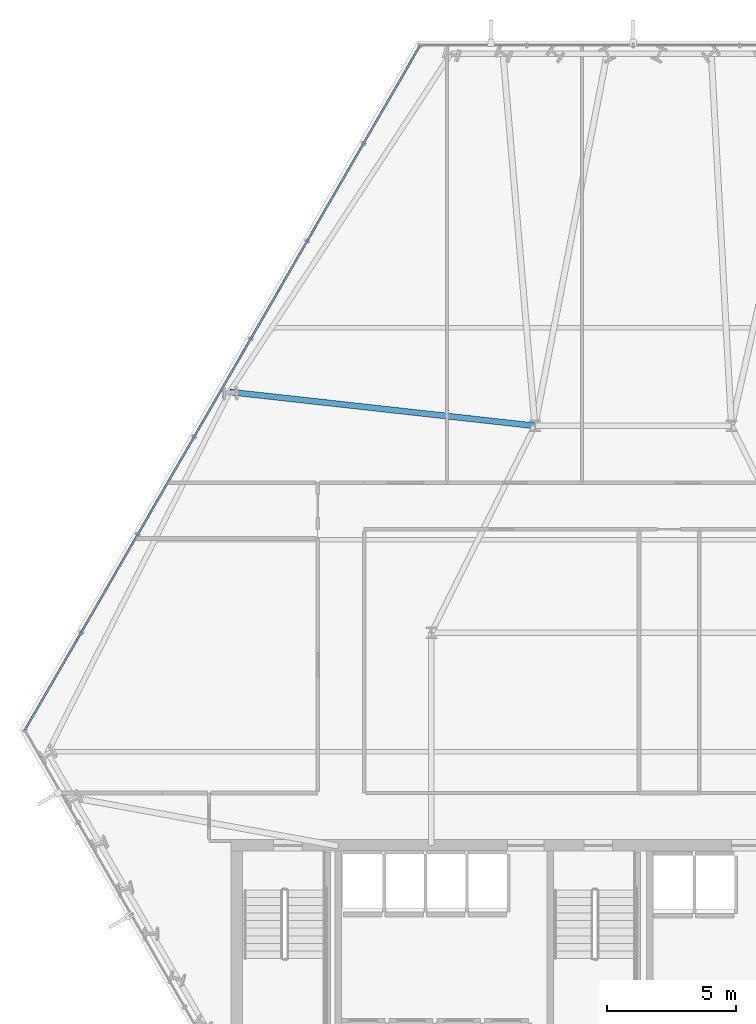
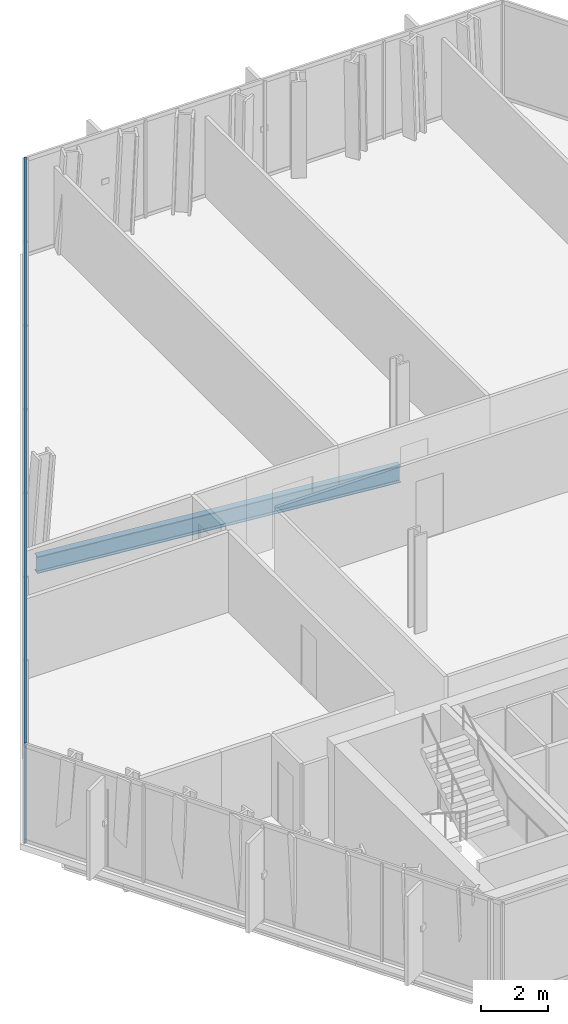
# One storey, part 11 of 33: 2 members, 1 beam, 1 element without a shape of its own.
"""IFC4 building model written with IfcOpenShell, lengths in metres."""

from ifc_helpers import new_model, si_unit, direction, frame, origin, origin_2d, place, context, subcontext, project, spatial, hollow_rectangle, i_section, extrude, material, layer, layer_set, material_profile, profile_set, type_object, element, aggregate, save


model = new_model("IFC4")

# Units and contexts
model_context = context("Model", 3, precision=1e-05, world=origin(), true_north=direction((0.0, 1.0)))
body_context = subcontext(model_context, "Body", "Model", "MODEL_VIEW")
ifc_project = project(units=[si_unit("LENGTHUNIT", "METRE"), si_unit("AREAUNIT", "SQUARE_METRE"), si_unit("VOLUMEUNIT", "CUBIC_METRE"), si_unit("PLANEANGLEUNIT", "RADIAN"), si_unit("MASSUNIT", "GRAM", prefix="KILO")], contexts=[model_context])

# Site, building, storey
site_placement = place(None, origin())
site = spatial("IfcSite", under=ifc_project, at=site_placement, CompositionType="ELEMENT")
building_placement = place(site_placement, origin())
building = spatial("IfcBuilding", under=site, at=building_placement, Name="Ndaravel Arena Tower", CompositionType="ELEMENT")
storey_placement = place(building_placement, frame((0.0, 0.0, 43.60009765625)))
storey = spatial("IfcBuildingStorey", under=building, at=storey_placement, Name="L08", CompositionType="ELEMENT", Elevation=43.60009765625)

# Beam
ifc_material_1 = material(Name="Steel S355", Category="steel")
ifc_material_profile_1 = material_profile(ifc_material_1, i_section(OverallWidth=0.230224609375, OverallDepth=0.6171875, WebThickness=0.01318359375, FlangeThickness=0.022216796875, FilletRadius=0.0126953125, at=origin_2d()), Name="UB 610x229x140")
ifc_profile_set_1 = profile_set([ifc_material_profile_1], Name="Steel S355")
beam_type = type_object("IfcBeamType", Name="BM-GIRD-UB610B", PredefinedType="BEAM", material=ifc_profile_set_1)
beam_placement = place(storey_placement, frame((26.394287109375, 32.510009765625, -0.52880859375), z_axis=(0.993899265506, -0.110291658919, 0.0), x_axis=(0.110291658919, 0.993899265506, 0.0)))
element("IfcBeam", 1, at=beam_placement, inside=storey, type_object=beam_type, Name="L08 Radial Floor Girder FG-19", PredefinedType="BEAM", context=body_context, shape_type="SweptSolid", body=[
    extrude(i_section(OverallWidth=0.230224609375, OverallDepth=0.6171875, WebThickness=0.01318359375, FlangeThickness=0.022216796875, FilletRadius=0.0126953125, at=origin_2d()), origin(), (0.0, 0.0, 1.0), 11.878173828125),
])

# Curtain wall, members
ifc_material_2 = material(Name="Aluminium", Category="aluminium")
ifc_layer = layer(ifc_material_2, 0.179931640625)
ifc_layer_set = layer_set([ifc_layer], Name="Aluminium")
curtain_wall_type = type_object("IfcCurtainWallType", Name="CW-SYS-03", PredefinedType="NOTDEFINED", material=ifc_layer_set)
curtain_wall_placement = place(storey_placement, origin())
curtain_wall = element("IfcCurtainWall", 2, at=curtain_wall_placement, inside=storey, type_object=curtain_wall_type, Name="L08 Faceted Crystal Curtain Wall CW-L08-E05", PredefinedType="NOTDEFINED")
ifc_material_3 = material(Name="Aluminium", Category="aluminium")
ifc_material_profile_2 = material_profile(ifc_material_3, hollow_rectangle(XDim=0.074951171875, YDim=0.14990234375, WallThickness=0.00390625, at=origin_2d()), Name="CW TRANSOM 75x150x4")
ifc_profile_set_2 = profile_set([ifc_material_profile_2], Name="Aluminium")
member_type = type_object("IfcMemberType", Name="MEM-CW-TRN150", PredefinedType="USERDEFINED", material=ifc_profile_set_2)
member_1_placement = place(storey_placement, frame((33.76123046875, 45.909912109375, 0.039794921875), z_axis=(-0.500002605586, -0.866023899444, 0.0), x_axis=(0.866023899444, -0.500002605586, 0.0)))
member_1 = element("IfcMember", 3, at=member_1_placement, type_object=member_type, Name="CW-L08-E05 Transom 01", ObjectType="TRANSOM", PredefinedType="USERDEFINED", context=body_context, shape_type="SweptSolid", body=[
    extrude(hollow_rectangle(XDim=0.074951171875, YDim=0.14990234375, WallThickness=0.00390625, at=origin_2d()), origin(), (0.0, 0.0, 1.0), 30.576416015625),
])
member_2_placement = place(storey_placement, frame((33.76123046875, 45.909912109375, 3.539794921875), z_axis=(-0.500002605586, -0.866023899444, 0.0), x_axis=(0.866023899444, -0.500002605586, 0.0)))
member_2 = element("IfcMember", 4, at=member_2_placement, type_object=member_type, Name="CW-L08-E05 Transom 02", ObjectType="TRANSOM", PredefinedType="USERDEFINED", context=body_context, shape_type="SweptSolid", body=[
    extrude(hollow_rectangle(XDim=0.074951171875, YDim=0.14990234375, WallThickness=0.00390625, at=origin_2d()), origin(), (0.0, 0.0, 1.0), 30.576416015625),
])
aggregate(curtain_wall, [member_1, member_2])

save(model, "model.ifc")
